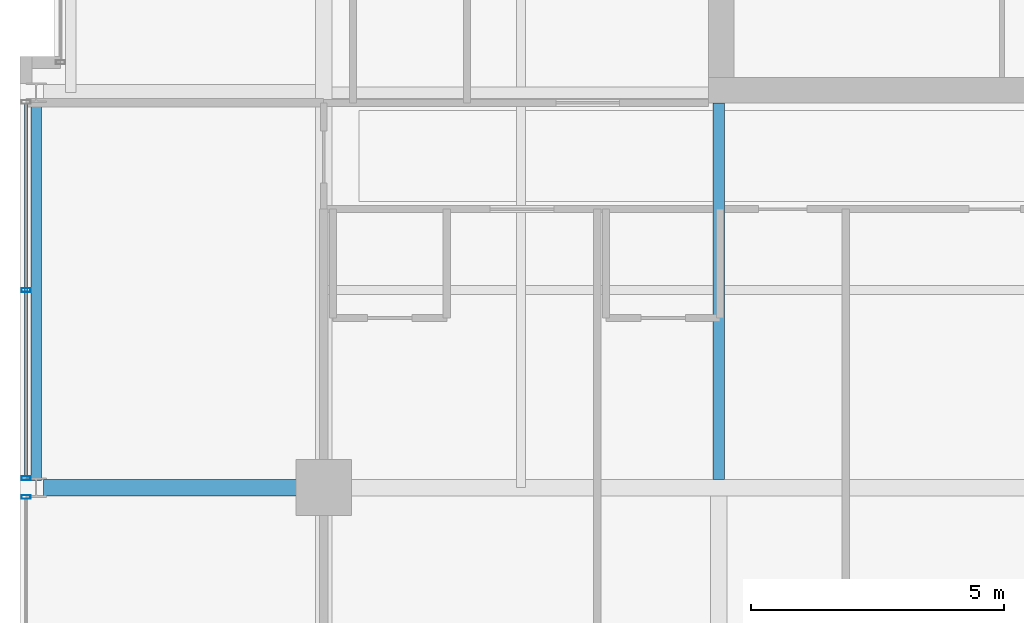
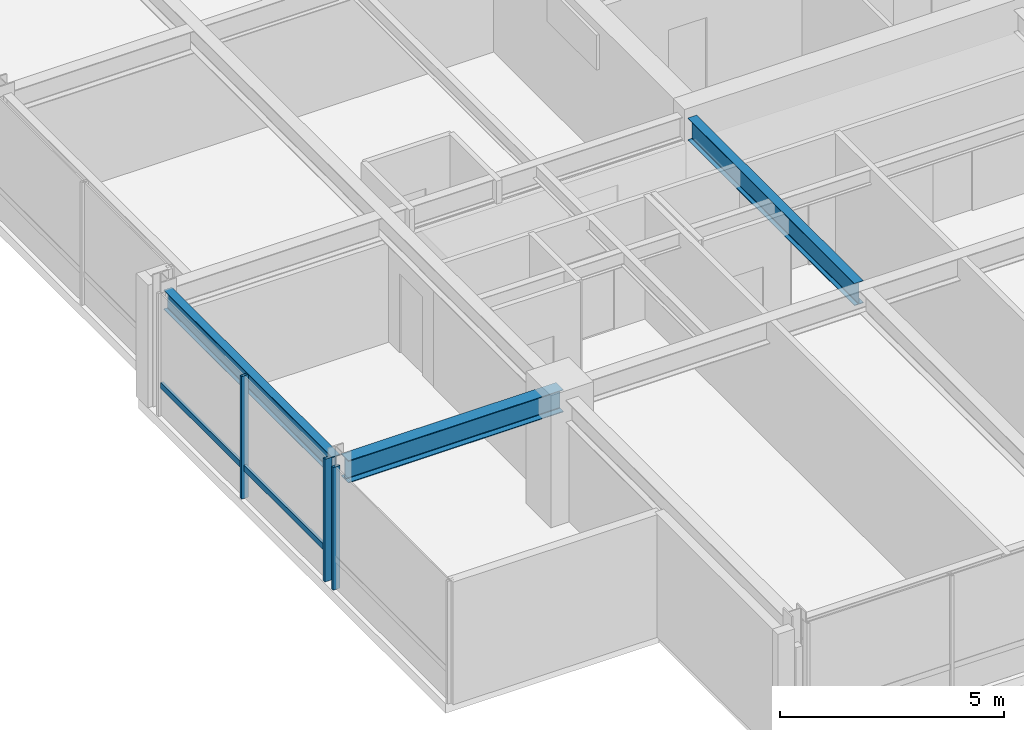
# One storey, part 4 of 33: 4 members, 3 beams, 2 elements without a shape of their own.
"""IFC4 building model written with IfcOpenShell, lengths in metres."""

from ifc_helpers import new_model, si_unit, direction, frame, origin, origin_2d, place, context, subcontext, project, spatial, hollow_rectangle, i_section, extrude, material, layer, layer_set, material_profile, profile_set, type_object, element, aggregate, save


model = new_model("IFC4")

# Units and contexts
model_context = context("Model", 3, precision=1e-05, world=origin(), true_north=direction((0.0, 1.0)))
body_context = subcontext(model_context, "Body", "Model", "MODEL_VIEW")
ifc_project = project(units=[si_unit("LENGTHUNIT", "METRE"), si_unit("AREAUNIT", "SQUARE_METRE"), si_unit("VOLUMEUNIT", "CUBIC_METRE"), si_unit("PLANEANGLEUNIT", "RADIAN"), si_unit("MASSUNIT", "GRAM", prefix="KILO")], contexts=[model_context])

# Site, building, storey
site_placement = place(None, origin())
site = spatial("IfcSite", under=ifc_project, at=site_placement, CompositionType="ELEMENT")
building_placement = place(site_placement, origin())
building = spatial("IfcBuilding", under=site, at=building_placement, Name="Drelvath Grand Hotel", CompositionType="ELEMENT")
storey_placement = place(building_placement, frame((0.0, 0.0, 212.300048828125)))
storey = spatial("IfcBuildingStorey", under=building, at=storey_placement, Name="L55", CompositionType="ELEMENT", Elevation=212.300048828125)

# Curtain wall, member
ifc_material_1 = material(Name="Platinum-Mist Anodised Aluminium Frame", Category="aluminium")
ifc_layer = layer(ifc_material_1, 0.199951171875)
ifc_layer_set = layer_set([ifc_layer], Name="Platinum-Mist Anodised Aluminium Frame")
curtain_wall_type = type_object("IfcCurtainWallType", Name="Stick Curtain Wall CW-05 Platinum Mist High-Rise", PredefinedType="NOTDEFINED", material=ifc_layer_set)
curtain_wall_1_placement = place(storey_placement, origin())
curtain_wall_1 = element("IfcCurtainWall", 1, at=curtain_wall_1_placement, inside=storey, type_object=curtain_wall_type, Name="L55 CW-05 Curtain Wall CW05-L55-WS2", PredefinedType="NOTDEFINED")
ifc_material_profile_1 = material_profile(ifc_material_1, hollow_rectangle(XDim=0.06494140625, YDim=0.159912109375, WallThickness=0.00390625, at=origin_2d()), Name="HSS160X65X4")
ifc_profile_set_1 = profile_set([ifc_material_profile_1], Name="Platinum-Mist Anodised Aluminium Frame")
member_type_1 = type_object("IfcMemberType", Name="Curtain Wall Horizontal Transom CW-05 HSS160X65X4", PredefinedType="USERDEFINED", material=ifc_profile_set_1)
member_1_placement = place(storey_placement, frame((-22.080078125, 11.025390625, 0.8349609375), z_axis=(0.0, 1.0, 0.0), x_axis=(-1.0, 0.0, 0.0)))
member_1 = element("IfcMember", 2, at=member_1_placement, type_object=member_type_1, Name="CW05-L55-WS2 Sill Transom", ObjectType="TRANSOM", PredefinedType="USERDEFINED", context=body_context, shape_type="SweptSolid", body=[
    extrude(hollow_rectangle(XDim=0.06494140625, YDim=0.159912109375, WallThickness=0.00390625, at=origin_2d()), origin(), (0.0, 0.0, 1.0), 7.349365234375),
])

curtain_wall_2_placement = place(storey_placement, origin())
curtain_wall_2 = element("IfcCurtainWall", 3, at=curtain_wall_2_placement, inside=storey, type_object=curtain_wall_type, Name="L55 CW-05 Curtain Wall CW05-L55-WS1", PredefinedType="NOTDEFINED")
ifc_material_profile_2 = material_profile(ifc_material_1, hollow_rectangle(XDim=0.074951171875, YDim=0.179931640625, WallThickness=0.0048828125, at=origin_2d()), Name="HSS180X75X5")
ifc_profile_set_2 = profile_set([ifc_material_profile_2], Name="Platinum-Mist Anodised Aluminium Frame")
member_type_2 = type_object("IfcMemberType", Name="Curtain Wall Vertical Mullion CW-05 HSS180X75X5", PredefinedType="MULLION", material=ifc_profile_set_2)
member_2_placement = place(storey_placement, frame((-22.080078125, 10.61474609375, 0.0), z_axis=(0.0, 0.0, 1.0), x_axis=(0.0, 1.0, 0.0)))
member_2 = element("IfcMember", 4, at=member_2_placement, type_object=member_type_2, Name="CW05-L55-WS1 Mullion 2", PredefinedType="MULLION", context=body_context, shape_type="SweptSolid", body=[
    extrude(hollow_rectangle(XDim=0.074951171875, YDim=0.179931640625, WallThickness=0.0048828125, at=origin_2d()), origin(), (0.0, 0.0, 1.0), 3.33984375),
])
aggregate(curtain_wall_2, [member_2])

# Member
member_3_placement = place(storey_placement, frame((-22.080078125, 10.9853515625, 0.0), z_axis=(0.0, 0.0, 1.0), x_axis=(0.0, 1.0, 0.0)))
member_3 = element("IfcMember", 5, at=member_3_placement, type_object=member_type_2, Name="CW05-L55-WS2 Mullion 1", PredefinedType="MULLION", context=body_context, shape_type="SweptSolid", body=[
    extrude(hollow_rectangle(XDim=0.074951171875, YDim=0.179931640625, WallThickness=0.0048828125, at=origin_2d()), origin(), (0.0, 0.0, 1.0), 3.33984375),
])

member_4_placement = place(storey_placement, frame((-22.080078125, 14.699951171875, 0.0), z_axis=(0.0, 0.0, 1.0), x_axis=(0.0, 1.0, 0.0)))
member_4 = element("IfcMember", 6, at=member_4_placement, type_object=member_type_2, Name="CW05-L55-WS2 Mullion 2", PredefinedType="MULLION", context=body_context, shape_type="SweptSolid", body=[
    extrude(hollow_rectangle(XDim=0.074951171875, YDim=0.179931640625, WallThickness=0.0048828125, at=origin_2d()), origin(), (0.0, 0.0, 1.0), 3.33984375),
])

aggregate(curtain_wall_1, [member_3, member_4, member_1])

# Beams
ifc_material_2 = material(Name="Steel ASTM A992 Gr 50", Category="steel")
ifc_material_profile_3 = material_profile(ifc_material_2, i_section(OverallWidth=0.210205078125, OverallDepth=0.53662109375, WebThickness=0.010986328125, FlangeThickness=0.017333984375, FilletRadius=0.01806640625, at=origin_2d()), Name="W21X68")
ifc_profile_set_3 = profile_set([ifc_material_profile_3], Name="Steel ASTM A992 Gr 50")
beam_type_1 = type_object("IfcBeamType", Name="Perimeter Spandrel Beam W21X68", PredefinedType="SPANDREL", material=ifc_profile_set_3)
beam_1_placement = place(storey_placement, frame((-21.8798828125, 10.93994140625, 3.071533203125), z_axis=(0.0, 1.0, 0.0), x_axis=(-1.0, 0.0, 0.0)))
element("IfcBeam", 7, at=beam_1_placement, inside=storey, type_object=beam_type_1, Name="L55 Spandrel West S", PredefinedType="SPANDREL", context=body_context, shape_type="SweptSolid", body=[
    extrude(i_section(OverallWidth=0.210205078125, OverallDepth=0.53662109375, WebThickness=0.010986328125, FlangeThickness=0.017333984375, FilletRadius=0.01806640625, at=origin_2d()), origin(), (0.0, 0.0, 1.0), 7.52001953125),
])
ifc_material_profile_4 = material_profile(ifc_material_2, i_section(OverallWidth=0.323974609375, OverallDepth=0.611083984375, WebThickness=0.0126953125, FlangeThickness=0.01904296875, FilletRadius=0.02197265625, at=origin_2d()), Name="W24X104")
ifc_profile_set_4 = profile_set([ifc_material_profile_4], Name="Steel ASTM A992 Gr 50")
beam_type_2 = type_object("IfcBeamType", Name="Primary Floor Girder W24X104", PredefinedType="BEAM", material=ifc_profile_set_4)
beam_2_placement = place(storey_placement, frame((-21.739990234375, 10.800048828125, 3.034423828125), z_axis=(1.0, 0.0, 0.0), x_axis=(0.0, 1.0, 0.0)))
element("IfcBeam", 8, at=beam_2_placement, inside=storey, type_object=beam_type_2, Name="L55 West Grid Girder C", PredefinedType="BEAM", context=body_context, shape_type="SweptSolid", body=[
    extrude(i_section(OverallWidth=0.323974609375, OverallDepth=0.611083984375, WebThickness=0.0126953125, FlangeThickness=0.01904296875, FilletRadius=0.02197265625, at=origin_2d()), origin(), (0.0, 0.0, 1.0), 5.5400390625),
])
ifc_material_profile_5 = material_profile(ifc_material_2, i_section(OverallWidth=0.228271484375, OverallDepth=0.607666015625, WebThickness=0.01123046875, FlangeThickness=0.017333984375, FilletRadius=0.02001953125, at=origin_2d()), Name="W24X76")
ifc_profile_set_5 = profile_set([ifc_material_profile_5], Name="Steel ASTM A992 Gr 50")
beam_type_3 = type_object("IfcBeamType", Name="Primary Floor Girder W24X76", PredefinedType="BEAM", material=ifc_profile_set_5)
beam_3_placement = place(storey_placement, frame((-8.39990234375, 10.9619140625, 3.0361328125), z_axis=(0.0, 1.0, 0.0), x_axis=(-1.0, 0.0, 0.0)))
element("IfcBeam", 9, at=beam_3_placement, inside=storey, type_object=beam_type_3, Name="L55 South Core Tie 4", PredefinedType="BEAM", context=body_context, shape_type="SweptSolid", body=[
    extrude(i_section(OverallWidth=0.228271484375, OverallDepth=0.607666015625, WebThickness=0.01123046875, FlangeThickness=0.017333984375, FilletRadius=0.02001953125, at=origin_2d()), origin(), (0.0, 0.0, 1.0), 7.43798828125),
])

save(model, "model.ifc")
